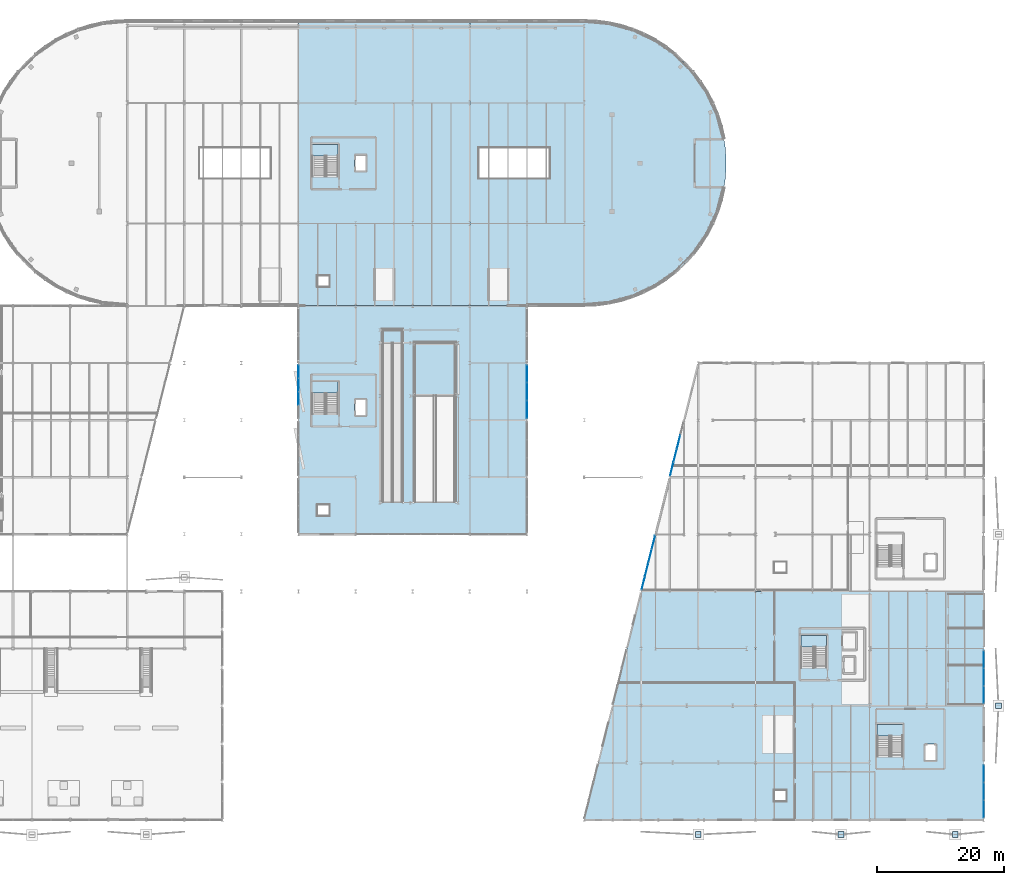
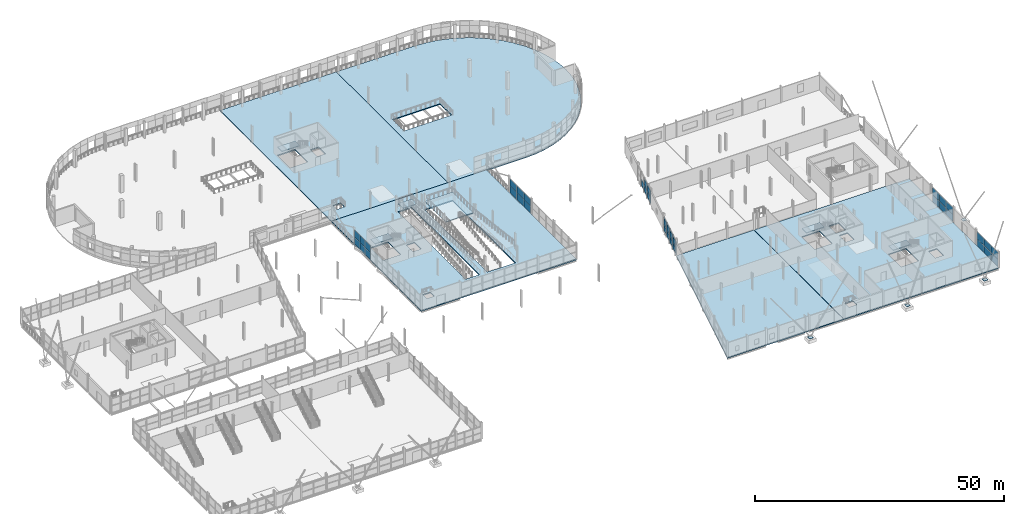
# One storey, part 106 of 140: 41 plates, 11 slabs, 11 elements without a shape of their own.
"""IFC4 building model written with IfcOpenShell, lengths in metres."""

import ifcopenshell
import ifcopenshell.guid

model = None  # the IFC model being written
_history = None  # IfcOwnerHistory: only IFC2X3 demands one
_inside = {}  # id of a spatial element -> (the spatial element, [elements in it])
_under = {}  # id of a project, library or spatial element -> (it, [spatial elements below it])
_declared = {}  # id of a project -> (the project, [libraries it declares])
_typed = {}  # id of a type object -> (the type object, [elements of that type])
_made_of = {}  # id of a material, layer set ... -> (it, [elements and type objects made of it])


def new_model(schema):
    """Start an empty IFC model of exactly this schema.

    Asked for "IFC4X3", IfcOpenShell would pick the latest addendum, in which some entities
    have other attributes; the version numbers below select the first issue.
    IFC2X3 requires an IfcOwnerHistory on every rooted entity: one is made here for all.
    """
    global model, _history
    if schema == "IFC4X3":
        model = ifcopenshell.file(schema_version=(4, 3, 0, 0))
    else:
        model = ifcopenshell.file(schema=schema)
    _inside.clear()
    _under.clear()
    _declared.clear()
    _typed.clear()
    _made_of.clear()
    _history = None
    if model.schema == "IFC2X3":
        org = make("IfcOrganization", Name="unknown")
        user = make(
            "IfcPersonAndOrganization",
            ThePerson=make("IfcPerson", FamilyName="unknown"),
            TheOrganization=org,
        )
        app = make(
            "IfcApplication",
            ApplicationDeveloper=org,
            Version="unknown",
            ApplicationFullName="unknown",
            ApplicationIdentifier="unknown",
        )
        _history = make(
            "IfcOwnerHistory",
            OwningUser=user,
            OwningApplication=app,
            ChangeAction="ADDED",
            CreationDate=0,
        )
    return model


def make(cls, **values):
    """One entity of the class cls with the attributes given. An attribute that is None is left unset."""
    return model.create_entity(
        cls, **{name: value for name, value in values.items() if value is not None}
    )


def rooted(cls, **values):
    """An entity with a GlobalId (a new one), such as an element, a storey or a relation."""
    return make(cls, GlobalId=ifcopenshell.guid.new(), OwnerHistory=_history, **values)


def si_unit(unit_type, name, prefix=None):
    """IfcSIUnit, for example si_unit("LENGTHUNIT", "METRE", prefix="MILLI")."""
    return make("IfcSIUnit", UnitType=unit_type, Prefix=prefix, Name=name)


def assignment(units):
    """IfcUnitAssignment: the units of a project."""
    return None if units is None else make("IfcUnitAssignment", Units=units)


def point(xyz):
    """IfcCartesianPoint."""
    return None if xyz is None else make("IfcCartesianPoint", Coordinates=xyz)


def direction(xyz):
    """IfcDirection."""
    return None if xyz is None else make("IfcDirection", DirectionRatios=xyz)


def frame(location, z_axis=None, x_axis=None):
    """IfcAxis2Placement3D, a coordinate frame: its origin and axes. An axis left out is left unset."""
    return make(
        "IfcAxis2Placement3D",
        Location=point(location),
        Axis=direction(z_axis),
        RefDirection=direction(x_axis),
    )


def frame_2d(location, x_axis=None):
    """IfcAxis2Placement2D, a coordinate frame in the plane: its origin and x axis."""
    return make(
        "IfcAxis2Placement2D", Location=point(location), RefDirection=direction(x_axis)
    )


def origin():
    """The frame at (0, 0, 0) with its axes left unset."""
    return frame((0.0, 0.0, 0.0))


def origin_2d():
    """The frame at (0, 0) in the plane with its x axis left unset."""
    return frame_2d((0.0, 0.0))


def place(relative_to, where):
    """IfcLocalPlacement: puts the frame where relative to a parent placement (None: the world)."""
    return make(
        "IfcLocalPlacement", PlacementRelTo=relative_to, RelativePlacement=where
    )


def context(
    kind, dimensions, precision=None, world=None, true_north=None, identifier=None
):
    """IfcGeometricRepresentationContext, for example the 3D "Model" context."""
    return make(
        "IfcGeometricRepresentationContext",
        ContextIdentifier=identifier,
        ContextType=kind,
        CoordinateSpaceDimension=dimensions,
        Precision=precision,
        WorldCoordinateSystem=world,
        TrueNorth=true_north,
    )


def subcontext(parent, identifier, kind, view, scale=None):
    """IfcGeometricRepresentationSubContext, for example "Body" below "Model"."""
    return make(
        "IfcGeometricRepresentationSubContext",
        ContextIdentifier=identifier,
        ContextType=kind,
        ParentContext=parent,
        TargetScale=scale,
        TargetView=view,
    )


def project(units=None, contexts=None):
    """IfcProject with its units and contexts."""
    return rooted(
        "IfcProject",
        Name="project",
        RepresentationContexts=contexts,
        UnitsInContext=assignment(units),
    )


def spatial(cls, under=None, at=None, **own):
    """A site, building, storey or space (cls), placed at a placement, below another one or the project."""
    s = rooted(cls, ObjectPlacement=at, **own)
    if under is not None:
        _under.setdefault(under.id(), (under, []))[1].append(s)
    return s


def polyline(points):
    """IfcPolyline through the points."""
    return make("IfcPolyline", Points=[point(p) for p in points])


def profile(cls, at=None, kind="AREA", **sizes):
    """A parametric profile (cls). Its sizes go by their IFC names, for example OverallWidth=200.0."""
    return make(cls, ProfileType=kind, Position=at, **sizes)


def rectangle(**sizes):
    """IfcRectangleProfileDef."""
    return profile("IfcRectangleProfileDef", **sizes)


def outline(outer, holes=None, kind="AREA"):
    """IfcArbitraryClosedProfileDef: a profile drawn as a closed curve; with holes, ...WithVoids."""
    if holes is None:
        return make("IfcArbitraryClosedProfileDef", ProfileType=kind, OuterCurve=outer)
    return make(
        "IfcArbitraryProfileDefWithVoids",
        ProfileType=kind,
        OuterCurve=outer,
        InnerCurves=holes,
    )


def extrude(swept, where, along, depth):
    """IfcExtrudedAreaSolid: the profile swept, set in the frame where, extruded along a direction by depth."""
    return make(
        "IfcExtrudedAreaSolid",
        SweptArea=swept,
        Position=where,
        ExtrudedDirection=direction(along),
        Depth=depth,
    )


def shape(context_of_items, identifier, shape_type, items):
    """IfcShapeRepresentation: the items that make up one representation, for example the "Body"."""
    return make(
        "IfcShapeRepresentation",
        ContextOfItems=context_of_items,
        RepresentationIdentifier=identifier,
        RepresentationType=shape_type,
        Items=items,
    )


def material(Name=None, Category=None):
    """IfcMaterial."""
    return make("IfcMaterial", Name=Name, Category=Category)


def layer(
    of_material, thickness, ventilated=None, Name=None, Category=None, Priority=None
):
    """IfcMaterialLayer: one layer of a wall or slab, of a material (None: an air gap)."""
    return make(
        "IfcMaterialLayer",
        Material=of_material,
        LayerThickness=thickness,
        IsVentilated=ventilated,
        Name=Name,
        Category=Category,
        Priority=Priority,
    )


def layer_set(layers, Name=None):
    """IfcMaterialLayerSet."""
    return make("IfcMaterialLayerSet", MaterialLayers=layers, LayerSetName=Name)


def made_of(thing, what):
    """Note that an element or type object is made of a material, layer set ...; save() writes the relation."""
    if what is not None:
        _made_of.setdefault(what.id(), (what, []))[1].append(thing)
    return thing


def type_object(cls, material=None, **own):
    """A type object (cls), such as IfcWallType, which elements share."""
    return made_of(rooted(cls, **own), material)


def element(
    cls,
    number,
    at=None,
    inside=None,
    cuts=None,
    type_object=None,
    material=None,
    context=None,
    identifier="Body",
    shape_type=None,
    held_by="IfcProductDefinitionShape",
    body=None,
    shapes=None,
    **own,
):
    """One element of the class cls, such as IfcWall. Its Tag is "e" and its number.

    at: its placement. inside: the storey or other place that contains it. cuts: it is an
    opening in that element (IfcRelVoidsElement). A single representation is given by context,
    identifier, shape_type and body (its items); several are given by shapes. held_by: the class
    of the entity that holds the representations. save() writes the other relations.
    """
    e = rooted(cls, Tag="e%d" % number, ObjectPlacement=at, **own)
    if body is not None:
        shapes = [shape(context, identifier, shape_type, body)]
    if shapes is not None:
        e.Representation = make(held_by, Representations=shapes)
    if inside is not None:
        _inside.setdefault(inside.id(), (inside, []))[1].append(e)
    if cuts is not None:
        rooted(
            "IfcRelVoidsElement", RelatingBuildingElement=cuts, RelatedOpeningElement=e
        )
    if type_object is not None:
        _typed.setdefault(type_object.id(), (type_object, []))[1].append(e)
    return made_of(e, material)


def aggregate(whole, parts):
    """IfcRelAggregates: a whole, such as a stair, and the parts it consists of."""
    return rooted("IfcRelAggregates", RelatingObject=whole, RelatedObjects=parts)


def save(model, path):
    """Write the relations noted so far, then the file.

    IfcRelAggregates (storeys below a building ...), IfcRelContainedInSpatialStructure (elements
    in a storey), IfcRelDefinesByType, IfcRelAssociatesMaterial and IfcRelDeclares: one each for
    every whole, place, type object, material and project.
    """
    for whole, parts in _under.values():
        aggregate(whole, parts)
    for where, things in _inside.values():
        rooted(
            "IfcRelContainedInSpatialStructure",
            RelatedElements=things,
            RelatingStructure=where,
        )
    for kind, things in _typed.values():
        rooted("IfcRelDefinesByType", RelatedObjects=things, RelatingType=kind)
    for what, things in _made_of.values():
        rooted("IfcRelAssociatesMaterial", RelatedObjects=things, RelatingMaterial=what)
    for by, libraries in _declared.values():
        rooted("IfcRelDeclares", RelatingContext=by, RelatedDefinitions=libraries)
    model.write(path)


model = new_model("IFC4")

# Units and contexts
model_context = context("Model", 3, precision=1e-05, world=origin(), true_north=direction((0.0, 1.0)))
body_context = subcontext(model_context, "Body", "Model", "MODEL_VIEW")
ifc_project = project(units=[si_unit("LENGTHUNIT", "METRE"), si_unit("AREAUNIT", "SQUARE_METRE"), si_unit("VOLUMEUNIT", "CUBIC_METRE"), si_unit("PLANEANGLEUNIT", "RADIAN"), si_unit("MASSUNIT", "GRAM", prefix="KILO")], contexts=[model_context])

# Site, building, storey
site_placement = place(None, origin())
site = spatial("IfcSite", under=ifc_project, at=site_placement, CompositionType="ELEMENT")
building_placement = place(site_placement, origin())
building = spatial("IfcBuilding", under=site, at=building_placement, Name="Deido Ridge Mobility Hub", CompositionType="ELEMENT")
storey_placement = place(building_placement, origin())
storey = spatial("IfcBuildingStorey", under=building, at=storey_placement, Name="L00", CompositionType="ELEMENT", Elevation=0.0)

# Curtain wall, plates
ifc_material_1 = material(Name="Anodised aluminium EN AW-6063 T6", Category="aluminium")
ifc_layer_1 = layer(ifc_material_1, 0.179931640625, Name="Anodised aluminium EN AW-6063 T6")
ifc_layer_set_1 = layer_set([ifc_layer_1], Name="Anodised aluminium EN AW-6063 T6")
curtain_wall_type_1 = type_object("IfcCurtainWallType", Name="CW-UF-2", PredefinedType="USERDEFINED", material=ifc_layer_set_1)
curtain_wall_1_placement = place(storey_placement, origin())
curtain_wall_1 = element("IfcCurtainWall", 1, at=curtain_wall_1_placement, inside=storey, type_object=curtain_wall_type_1, Name="Unitised curtain wall CW2", ObjectType="UNITISED FACADE", PredefinedType="USERDEFINED")
ifc_material_2 = material(Name="Laminated solar-control low-E glass", Category="glass")
ifc_layer_2 = layer(ifc_material_2, 0.02587890625, Name="Laminated solar-control low-E glass")
ifc_layer_set_2 = layer_set([ifc_layer_2], Name="Laminated solar-control low-E glass")
plate_type_1 = type_object("IfcPlateType", Name="PLT-CWP-26", PredefinedType="CURTAIN_PANEL", material=ifc_layer_set_2)
plate_1_placement = place(storey_placement, frame((126.32861328125, 37.314453125, 0.050048828125), z_axis=(0.0, 0.0, 1.0), x_axis=(0.242530293767, 0.970143832947, 0.0)))
plate_1 = element("IfcPlate", 2, at=plate_1_placement, type_object=plate_type_1, Name="CW2 panel 1.1", PredefinedType="CURTAIN_PANEL", context=body_context, shape_type="SweptSolid", body=[
    extrude(rectangle(XDim=2.1318359375, YDim=0.02587890625, at=origin_2d()), origin(), (0.0, 0.0, 1.0), 1.58740234375),
])
plate_2_placement = place(storey_placement, frame((126.32861328125, 37.314453125, 1.6875), z_axis=(0.0, 0.0, 1.0), x_axis=(0.242530293767, 0.970143832947, 0.0)))
plate_2 = element("IfcPlate", 3, at=plate_2_placement, type_object=plate_type_1, Name="CW2 panel 1.2", PredefinedType="CURTAIN_PANEL", context=body_context, shape_type="SweptSolid", body=[
    extrude(rectangle(XDim=2.1318359375, YDim=0.02587890625, at=origin_2d()), origin(), (0.0, 0.0, 1.0), 1.58740234375),
])
plate_3_placement = place(storey_placement, frame((126.86083984375, 39.443115234375, 0.050048828125), z_axis=(0.0, 0.0, 1.0), x_axis=(0.242530293767, 0.970143832947, 0.0)))
plate_3 = element("IfcPlate", 4, at=plate_3_placement, type_object=plate_type_1, Name="CW2 panel 2.1", PredefinedType="CURTAIN_PANEL", context=body_context, shape_type="SweptSolid", body=[
    extrude(rectangle(XDim=2.15673828125, YDim=0.02587890625, at=origin_2d()), origin(), (0.0, 0.0, 1.0), 1.58740234375),
])
plate_4_placement = place(storey_placement, frame((126.86083984375, 39.443115234375, 1.6875), z_axis=(0.0, 0.0, 1.0), x_axis=(0.242530293767, 0.970143832947, 0.0)))
plate_4 = element("IfcPlate", 5, at=plate_4_placement, type_object=plate_type_1, Name="CW2 panel 2.2", PredefinedType="CURTAIN_PANEL", context=body_context, shape_type="SweptSolid", body=[
    extrude(rectangle(XDim=2.15673828125, YDim=0.02587890625, at=origin_2d()), origin(), (0.0, 0.0, 1.0), 1.58740234375),
])
plate_5_placement = place(storey_placement, frame((127.39599609375, 41.583984375, 0.050048828125), z_axis=(0.0, 0.0, 1.0), x_axis=(0.242530293767, 0.970143832947, 0.0)))
plate_5 = element("IfcPlate", 6, at=plate_5_placement, type_object=plate_type_1, Name="CW2 panel 3.1", PredefinedType="CURTAIN_PANEL", context=body_context, shape_type="SweptSolid", body=[
    extrude(rectangle(XDim=2.15673828125, YDim=0.02587890625, at=origin_2d()), origin(), (0.0, 0.0, 1.0), 1.58740234375),
])
plate_6_placement = place(storey_placement, frame((127.39599609375, 41.583984375, 1.6875), z_axis=(0.0, 0.0, 1.0), x_axis=(0.242530293767, 0.970143832947, 0.0)))
plate_6 = element("IfcPlate", 7, at=plate_6_placement, type_object=plate_type_1, Name="CW2 panel 3.2", PredefinedType="CURTAIN_PANEL", context=body_context, shape_type="SweptSolid", body=[
    extrude(rectangle(XDim=2.15673828125, YDim=0.02587890625, at=origin_2d()), origin(), (0.0, 0.0, 1.0), 1.58740234375),
])
plate_7_placement = place(storey_placement, frame((127.92822265625, 43.712646484375, 0.050048828125), z_axis=(0.0, 0.0, 1.0), x_axis=(0.242530293767, 0.970143832947, 0.0)))
plate_7 = element("IfcPlate", 8, at=plate_7_placement, type_object=plate_type_1, Name="CW2 panel 4.1", PredefinedType="CURTAIN_PANEL", context=body_context, shape_type="SweptSolid", body=[
    extrude(rectangle(XDim=2.1318359375, YDim=0.02587890625, at=origin_2d()), origin(), (0.0, 0.0, 1.0), 1.58740234375),
])
plate_8_placement = place(storey_placement, frame((127.92822265625, 43.712646484375, 1.6875), z_axis=(0.0, 0.0, 1.0), x_axis=(0.242530293767, 0.970143832947, 0.0)))
plate_8 = element("IfcPlate", 9, at=plate_8_placement, type_object=plate_type_1, Name="CW2 panel 4.2", PredefinedType="CURTAIN_PANEL", context=body_context, shape_type="SweptSolid", body=[
    extrude(rectangle(XDim=2.1318359375, YDim=0.02587890625, at=origin_2d()), origin(), (0.0, 0.0, 1.0), 1.58740234375),
])
aggregate(curtain_wall_1, [plate_1, plate_2, plate_3, plate_4, plate_5, plate_6, plate_7, plate_8])

ifc_layer_3 = layer(ifc_material_1, 0.1650390625, Name="Anodised aluminium EN AW-6063 T6")
ifc_layer_set_3 = layer_set([ifc_layer_3], Name="Anodised aluminium EN AW-6063 T6")
curtain_wall_type_2 = type_object("IfcCurtainWallType", Name="CW-UF-1", PredefinedType="USERDEFINED", material=ifc_layer_set_3)
curtain_wall_2_placement = place(storey_placement, origin())
curtain_wall_2 = element("IfcCurtainWall", 10, at=curtain_wall_2_placement, inside=storey, type_object=curtain_wall_type_2, Name="Unitised curtain wall CW1", ObjectType="UNITISED FACADE", PredefinedType="USERDEFINED")
ifc_layer_4 = layer(ifc_material_2, 0.031005859375, Name="Laminated solar-control low-E glass")
ifc_layer_set_4 = layer_set([ifc_layer_4], Name="Laminated solar-control low-E glass")
plate_type_2 = type_object("IfcPlateType", Name="PLT-CWP-31", PredefinedType="CURTAIN_PANEL", material=ifc_layer_set_4)
plate_9_placement = place(storey_placement, frame((72.0, 66.4375, 0.06005859375), z_axis=(0.0, 0.0, 1.0), x_axis=(0.0, 1.0, 0.0)))
plate_9 = element("IfcPlate", 11, at=plate_9_placement, type_object=plate_type_2, Name="CW1 panel 2.1", PredefinedType="CURTAIN_PANEL", context=body_context, shape_type="SweptSolid", body=[
    extrude(rectangle(XDim=2.06494140625, YDim=0.031005859375, at=origin_2d()), origin(), (0.0, 0.0, 1.0), 1.7099609375),
])
plate_10_placement = place(storey_placement, frame((72.0, 66.4375, 1.830078125), z_axis=(0.0, 0.0, 1.0), x_axis=(0.0, 1.0, 0.0)))
plate_10 = element("IfcPlate", 12, at=plate_10_placement, type_object=plate_type_2, Name="CW1 panel 2.2", PredefinedType="CURTAIN_PANEL", context=body_context, shape_type="SweptSolid", body=[
    extrude(rectangle(XDim=2.06494140625, YDim=0.031005859375, at=origin_2d()), origin(), (0.0, 0.0, 1.0), 1.7099609375),
])
plate_11_placement = place(storey_placement, frame((72.0, 68.5625, 0.06005859375), z_axis=(0.0, 0.0, 1.0), x_axis=(0.0, 1.0, 0.0)))
plate_11 = element("IfcPlate", 13, at=plate_11_placement, type_object=plate_type_2, Name="CW1 panel 3.1", PredefinedType="CURTAIN_PANEL", context=body_context, shape_type="SweptSolid", body=[
    extrude(rectangle(XDim=2.06494140625, YDim=0.031005859375, at=origin_2d()), origin(), (0.0, 0.0, 1.0), 1.7099609375),
])
plate_12_placement = place(storey_placement, frame((72.0, 68.5625, 1.830078125), z_axis=(0.0, 0.0, 1.0), x_axis=(0.0, 1.0, 0.0)))
plate_12 = element("IfcPlate", 14, at=plate_12_placement, type_object=plate_type_2, Name="CW1 panel 3.2", PredefinedType="CURTAIN_PANEL", context=body_context, shape_type="SweptSolid", body=[
    extrude(rectangle(XDim=2.06494140625, YDim=0.031005859375, at=origin_2d()), origin(), (0.0, 0.0, 1.0), 1.7099609375),
])
plate_13_placement = place(storey_placement, frame((72.0, 70.672607421875, 0.06005859375), z_axis=(0.0, 0.0, 1.0), x_axis=(0.0, 1.0, 0.0)))
plate_13 = element("IfcPlate", 15, at=plate_13_placement, type_object=plate_type_2, Name="CW1 panel 4.1", PredefinedType="CURTAIN_PANEL", context=body_context, shape_type="SweptSolid", body=[
    extrude(rectangle(XDim=2.034912109375, YDim=0.031005859375, at=origin_2d()), origin(), (0.0, 0.0, 1.0), 1.7099609375),
])
plate_14_placement = place(storey_placement, frame((72.0, 70.672607421875, 1.830078125), z_axis=(0.0, 0.0, 1.0), x_axis=(0.0, 1.0, 0.0)))
plate_14 = element("IfcPlate", 16, at=plate_14_placement, type_object=plate_type_2, Name="CW1 panel 4.2", PredefinedType="CURTAIN_PANEL", context=body_context, shape_type="SweptSolid", body=[
    extrude(rectangle(XDim=2.034912109375, YDim=0.031005859375, at=origin_2d()), origin(), (0.0, 0.0, 1.0), 1.7099609375),
])
aggregate(curtain_wall_2, [plate_9, plate_10, plate_11, plate_12, plate_13, plate_14])

ifc_layer_5 = layer(ifc_material_1, 0.195068359375, Name="Anodised aluminium EN AW-6063 T6")
ifc_layer_set_5 = layer_set([ifc_layer_5], Name="Anodised aluminium EN AW-6063 T6")
curtain_wall_type_3 = type_object("IfcCurtainWallType", Name="CW-UF-3", PredefinedType="USERDEFINED", material=ifc_layer_set_5)
curtain_wall_3_placement = place(storey_placement, origin())
curtain_wall_3 = element("IfcCurtainWall", 17, at=curtain_wall_3_placement, inside=storey, type_object=curtain_wall_type_3, Name="Unitised curtain wall CW3", ObjectType="UNITISED FACADE", PredefinedType="USERDEFINED")
plate_15_placement = place(storey_placement, frame((180.0, 1.715087890625, 0.06005859375), z_axis=(0.0, 0.0, 1.0), x_axis=(0.0, 1.0, 0.0)))
plate_15 = element("IfcPlate", 18, at=plate_15_placement, type_object=plate_type_2, Name="CW3 panel 1.1", PredefinedType="CURTAIN_PANEL", context=body_context, shape_type="SweptSolid", body=[
    extrude(rectangle(XDim=2.7099609375, YDim=0.031005859375, at=origin_2d()), origin(), (0.0, 0.0, 1.0), 1.7099609375),
])
plate_16_placement = place(storey_placement, frame((180.0, 1.715087890625, 1.830078125), z_axis=(0.0, 0.0, 1.0), x_axis=(0.0, 1.0, 0.0)))
plate_16 = element("IfcPlate", 19, at=plate_16_placement, type_object=plate_type_2, Name="CW3 panel 1.2", PredefinedType="CURTAIN_PANEL", context=body_context, shape_type="SweptSolid", body=[
    extrude(rectangle(XDim=2.7099609375, YDim=0.031005859375, at=origin_2d()), origin(), (0.0, 0.0, 1.0), 1.7099609375),
])
plate_17_placement = place(storey_placement, frame((180.0, 4.5, 0.06005859375), z_axis=(0.0, 0.0, 1.0), x_axis=(0.0, 1.0, 0.0)))
plate_17 = element("IfcPlate", 20, at=plate_17_placement, type_object=plate_type_2, Name="CW3 panel 2.1", PredefinedType="CURTAIN_PANEL", context=body_context, shape_type="SweptSolid", body=[
    extrude(rectangle(XDim=2.739990234375, YDim=0.031005859375, at=origin_2d()), origin(), (0.0, 0.0, 1.0), 1.7099609375),
])
plate_18_placement = place(storey_placement, frame((180.0, 4.5, 1.830078125), z_axis=(0.0, 0.0, 1.0), x_axis=(0.0, 1.0, 0.0)))
plate_18 = element("IfcPlate", 21, at=plate_18_placement, type_object=plate_type_2, Name="CW3 panel 2.2", PredefinedType="CURTAIN_PANEL", context=body_context, shape_type="SweptSolid", body=[
    extrude(rectangle(XDim=2.739990234375, YDim=0.031005859375, at=origin_2d()), origin(), (0.0, 0.0, 1.0), 1.7099609375),
])
plate_19_placement = place(storey_placement, frame((180.0, 7.284912109375, 0.06005859375), z_axis=(0.0, 0.0, 1.0), x_axis=(0.0, 1.0, 0.0)))
plate_19 = element("IfcPlate", 22, at=plate_19_placement, type_object=plate_type_2, Name="CW3 panel 3.1", PredefinedType="CURTAIN_PANEL", context=body_context, shape_type="SweptSolid", body=[
    extrude(rectangle(XDim=2.7099609375, YDim=0.031005859375, at=origin_2d()), origin(), (0.0, 0.0, 1.0), 1.7099609375),
])
plate_20_placement = place(storey_placement, frame((180.0, 7.284912109375, 1.830078125), z_axis=(0.0, 0.0, 1.0), x_axis=(0.0, 1.0, 0.0)))
plate_20 = element("IfcPlate", 23, at=plate_20_placement, type_object=plate_type_2, Name="CW3 panel 3.2", PredefinedType="CURTAIN_PANEL", context=body_context, shape_type="SweptSolid", body=[
    extrude(rectangle(XDim=2.7099609375, YDim=0.031005859375, at=origin_2d()), origin(), (0.0, 0.0, 1.0), 1.7099609375),
])
aggregate(curtain_wall_3, [plate_15, plate_16, plate_17, plate_18, plate_19, plate_20])

ifc_layer_6 = layer(ifc_material_1, 0.2099609375, Name="Anodised aluminium EN AW-6063 T6")
ifc_layer_set_6 = layer_set([ifc_layer_6], Name="Anodised aluminium EN AW-6063 T6")
curtain_wall_type_4 = type_object("IfcCurtainWallType", Name="CW-UF-4", PredefinedType="USERDEFINED", material=ifc_layer_set_6)
curtain_wall_4_placement = place(storey_placement, origin())
curtain_wall_4 = element("IfcCurtainWall", 24, at=curtain_wall_4_placement, inside=storey, type_object=curtain_wall_type_4, Name="Unitised curtain wall CW4", ObjectType="UNITISED FACADE", PredefinedType="USERDEFINED")
plate_21_placement = place(storey_placement, frame((130.8232421875, 55.29296875, 0.06005859375), z_axis=(0.0, 0.0, 1.0), x_axis=(0.242530310632, 0.970143828731, 0.0)))
plate_21 = element("IfcPlate", 25, at=plate_21_placement, type_object=plate_type_2, Name="CW4 panel 1.1", PredefinedType="CURTAIN_PANEL", context=body_context, shape_type="SweptSolid", body=[
    extrude(rectangle(XDim=2.123779296875, YDim=0.031005859375, at=origin_2d()), origin(), (0.0, 0.0, 1.0), 1.572509765625),
])
plate_22_placement = place(storey_placement, frame((130.8232421875, 55.29296875, 1.6923828125), z_axis=(0.0, 0.0, 1.0), x_axis=(0.242530310632, 0.970143828731, 0.0)))
plate_22 = element("IfcPlate", 26, at=plate_22_placement, type_object=plate_type_2, Name="CW4 panel 1.2", PredefinedType="CURTAIN_PANEL", context=body_context, shape_type="SweptSolid", body=[
    extrude(rectangle(XDim=2.123779296875, YDim=0.031005859375, at=origin_2d()), origin(), (0.0, 0.0, 1.0), 1.572509765625),
])
plate_23_placement = place(storey_placement, frame((131.3564453125, 57.42626953125, 0.06005859375), z_axis=(0.0, 0.0, 1.0), x_axis=(0.242530310632, 0.970143828731, 0.0)))
plate_23 = element("IfcPlate", 27, at=plate_23_placement, type_object=plate_type_2, Name="CW4 panel 2.1", PredefinedType="CURTAIN_PANEL", context=body_context, shape_type="SweptSolid", body=[
    extrude(rectangle(XDim=2.15380859375, YDim=0.031005859375, at=origin_2d()), origin(), (0.0, 0.0, 1.0), 1.572509765625),
])
plate_24_placement = place(storey_placement, frame((131.3564453125, 57.42626953125, 1.6923828125), z_axis=(0.0, 0.0, 1.0), x_axis=(0.242530310632, 0.970143828731, 0.0)))
plate_24 = element("IfcPlate", 28, at=plate_24_placement, type_object=plate_type_2, Name="CW4 panel 2.2", PredefinedType="CURTAIN_PANEL", context=body_context, shape_type="SweptSolid", body=[
    extrude(rectangle(XDim=2.15380859375, YDim=0.031005859375, at=origin_2d()), origin(), (0.0, 0.0, 1.0), 1.572509765625),
])
plate_25_placement = place(storey_placement, frame((131.8935546875, 59.57373046875, 0.06005859375), z_axis=(0.0, 0.0, 1.0), x_axis=(0.242530310632, 0.970143828731, 0.0)))
plate_25 = element("IfcPlate", 29, at=plate_25_placement, type_object=plate_type_2, Name="CW4 panel 3.1", PredefinedType="CURTAIN_PANEL", context=body_context, shape_type="SweptSolid", body=[
    extrude(rectangle(XDim=2.15380859375, YDim=0.031005859375, at=origin_2d()), origin(), (0.0, 0.0, 1.0), 1.572509765625),
])
aggregate(curtain_wall_4, [plate_21, plate_22, plate_23, plate_24, plate_25])

ifc_layer_7 = layer(ifc_material_1, 0.22509765625, Name="Anodised aluminium EN AW-6063 T6")
ifc_layer_set_7 = layer_set([ifc_layer_7], Name="Anodised aluminium EN AW-6063 T6")
curtain_wall_type_5 = type_object("IfcCurtainWallType", Name="CW-UF-5", PredefinedType="USERDEFINED", material=ifc_layer_set_7)
curtain_wall_5_placement = place(storey_placement, origin())
curtain_wall_5 = element("IfcCurtainWall", 30, at=curtain_wall_5_placement, inside=storey, type_object=curtain_wall_type_5, Name="Unitised curtain wall CW5", ObjectType="UNITISED FACADE", PredefinedType="USERDEFINED")
ifc_layer_8 = layer(ifc_material_2, 0.034912109375, Name="Laminated solar-control low-E glass")
ifc_layer_set_8 = layer_set([ifc_layer_8], Name="Laminated solar-control low-E glass")
plate_type_3 = type_object("IfcPlateType", Name="PLT-CWP-35", PredefinedType="CURTAIN_PANEL", material=ifc_layer_set_8)
plate_26_placement = place(storey_placement, frame((180.0, 19.717529296875, 0.06982421875), z_axis=(0.0, 0.0, 1.0), x_axis=(0.0, 1.0, 0.0)))
plate_26 = element("IfcPlate", 31, at=plate_26_placement, type_object=plate_type_3, Name="CW5 panel 1.1", PredefinedType="CURTAIN_PANEL", context=body_context, shape_type="SweptSolid", body=[
    extrude(rectangle(XDim=2.695068359375, YDim=0.034912109375, at=origin_2d()), origin(), (0.0, 0.0, 1.0), 1.695068359375),
])
plate_27_placement = place(storey_placement, frame((180.0, 19.717529296875, 1.8349609375), z_axis=(0.0, 0.0, 1.0), x_axis=(0.0, 1.0, 0.0)))
plate_27 = element("IfcPlate", 32, at=plate_27_placement, type_object=plate_type_3, Name="CW5 panel 1.2", PredefinedType="CURTAIN_PANEL", context=body_context, shape_type="SweptSolid", body=[
    extrude(rectangle(XDim=2.695068359375, YDim=0.034912109375, at=origin_2d()), origin(), (0.0, 0.0, 1.0), 1.695068359375),
])
plate_28_placement = place(storey_placement, frame((180.0, 22.5, 0.06982421875), z_axis=(0.0, 0.0, 1.0), x_axis=(0.0, 1.0, 0.0)))
plate_28 = element("IfcPlate", 33, at=plate_28_placement, type_object=plate_type_3, Name="CW5 panel 2.1", PredefinedType="CURTAIN_PANEL", context=body_context, shape_type="SweptSolid", body=[
    extrude(rectangle(XDim=2.72998046875, YDim=0.034912109375, at=origin_2d()), origin(), (0.0, 0.0, 1.0), 1.695068359375),
])
plate_29_placement = place(storey_placement, frame((180.0, 22.5, 1.8349609375), z_axis=(0.0, 0.0, 1.0), x_axis=(0.0, 1.0, 0.0)))
plate_29 = element("IfcPlate", 34, at=plate_29_placement, type_object=plate_type_3, Name="CW5 panel 2.2", PredefinedType="CURTAIN_PANEL", context=body_context, shape_type="SweptSolid", body=[
    extrude(rectangle(XDim=2.72998046875, YDim=0.034912109375, at=origin_2d()), origin(), (0.0, 0.0, 1.0), 1.695068359375),
])
plate_30_placement = place(storey_placement, frame((180.0, 25.282470703125, 0.06982421875), z_axis=(0.0, 0.0, 1.0), x_axis=(0.0, 1.0, 0.0)))
plate_30 = element("IfcPlate", 35, at=plate_30_placement, type_object=plate_type_3, Name="CW5 panel 3.1", PredefinedType="CURTAIN_PANEL", context=body_context, shape_type="SweptSolid", body=[
    extrude(rectangle(XDim=2.695068359375, YDim=0.034912109375, at=origin_2d()), origin(), (0.0, 0.0, 1.0), 1.695068359375),
])
plate_31_placement = place(storey_placement, frame((180.0, 25.282470703125, 1.8349609375), z_axis=(0.0, 0.0, 1.0), x_axis=(0.0, 1.0, 0.0)))
plate_31 = element("IfcPlate", 36, at=plate_31_placement, type_object=plate_type_3, Name="CW5 panel 3.2", PredefinedType="CURTAIN_PANEL", context=body_context, shape_type="SweptSolid", body=[
    extrude(rectangle(XDim=2.695068359375, YDim=0.034912109375, at=origin_2d()), origin(), (0.0, 0.0, 1.0), 1.695068359375),
])
aggregate(curtain_wall_5, [plate_26, plate_27, plate_28, plate_29, plate_30, plate_31])

curtain_wall_6_placement = place(storey_placement, origin())
curtain_wall_6 = element("IfcCurtainWall", 37, at=curtain_wall_6_placement, inside=storey, type_object=curtain_wall_type_4, Name="Unitised curtain wall CW4", ObjectType="UNITISED FACADE", PredefinedType="USERDEFINED")
ifc_layer_9 = layer(ifc_material_2, 0.037109375, Name="Laminated solar-control low-E glass")
ifc_layer_set_9 = layer_set([ifc_layer_9], Name="Laminated solar-control low-E glass")
plate_type_4 = type_object("IfcPlateType", Name="PLT-CWP-37", PredefinedType="CURTAIN_PANEL", material=ifc_layer_set_9)
plate_32_placement = place(storey_placement, frame((108.0, 64.685302734375, 0.074951171875), z_axis=(0.0, 0.0, 1.0), x_axis=(0.0, 1.0, 0.0)))
plate_32 = element("IfcPlate", 38, at=plate_32_placement, type_object=plate_type_4, Name="CW4 panel 1.1", PredefinedType="CURTAIN_PANEL", context=body_context, shape_type="SweptSolid", body=[
    extrude(rectangle(XDim=2.720947265625, YDim=0.037109375, at=origin_2d()), origin(), (0.0, 0.0, 1.0), 1.6875),
])
plate_33_placement = place(storey_placement, frame((108.0, 64.685302734375, 1.83740234375), z_axis=(0.0, 0.0, 1.0), x_axis=(0.0, 1.0, 0.0)))
plate_33 = element("IfcPlate", 39, at=plate_33_placement, type_object=plate_type_4, Name="CW4 panel 1.2", PredefinedType="CURTAIN_PANEL", context=body_context, shape_type="SweptSolid", body=[
    extrude(rectangle(XDim=2.720947265625, YDim=0.037109375, at=origin_2d()), origin(), (0.0, 0.0, 1.0), 1.6875),
])
plate_34_placement = place(storey_placement, frame((108.0, 67.5, 0.074951171875), z_axis=(0.0, 0.0, 1.0), x_axis=(0.0, 1.0, 0.0)))
plate_34 = element("IfcPlate", 40, at=plate_34_placement, type_object=plate_type_4, Name="CW4 panel 2.1", PredefinedType="CURTAIN_PANEL", context=body_context, shape_type="SweptSolid", body=[
    extrude(rectangle(XDim=2.75830078125, YDim=0.037109375, at=origin_2d()), origin(), (0.0, 0.0, 1.0), 1.6875),
])
plate_35_placement = place(storey_placement, frame((108.0, 67.5, 1.83740234375), z_axis=(0.0, 0.0, 1.0), x_axis=(0.0, 1.0, 0.0)))
plate_35 = element("IfcPlate", 41, at=plate_35_placement, type_object=plate_type_4, Name="CW4 panel 2.2", PredefinedType="CURTAIN_PANEL", context=body_context, shape_type="SweptSolid", body=[
    extrude(rectangle(XDim=2.75830078125, YDim=0.037109375, at=origin_2d()), origin(), (0.0, 0.0, 1.0), 1.6875),
])
plate_36_placement = place(storey_placement, frame((108.0, 70.314697265625, 0.074951171875), z_axis=(0.0, 0.0, 1.0), x_axis=(0.0, 1.0, 0.0)))
plate_36 = element("IfcPlate", 42, at=plate_36_placement, type_object=plate_type_4, Name="CW4 panel 3.1", PredefinedType="CURTAIN_PANEL", context=body_context, shape_type="SweptSolid", body=[
    extrude(rectangle(XDim=2.720947265625, YDim=0.037109375, at=origin_2d()), origin(), (0.0, 0.0, 1.0), 1.6875),
])
plate_37_placement = place(storey_placement, frame((108.0, 70.314697265625, 1.83740234375), z_axis=(0.0, 0.0, 1.0), x_axis=(0.0, 1.0, 0.0)))
plate_37 = element("IfcPlate", 43, at=plate_37_placement, type_object=plate_type_4, Name="CW4 panel 3.2", PredefinedType="CURTAIN_PANEL", context=body_context, shape_type="SweptSolid", body=[
    extrude(rectangle(XDim=2.720947265625, YDim=0.037109375, at=origin_2d()), origin(), (0.0, 0.0, 1.0), 1.6875),
])
aggregate(curtain_wall_6, [plate_32, plate_33, plate_34, plate_35, plate_36, plate_37])

# Plates
ifc_material_3 = material(Name="Steel S355J2 EN 10025-2", Category="steel")
ifc_layer_10 = layer(ifc_material_3, 0.0400390625, Name="Steel S355J2 EN 10025-2")
ifc_layer_set_10 = layer_set([ifc_layer_10], Name="Steel S355J2 EN 10025-2")
plate_type_5 = type_object("IfcPlateType", Name="PLT-SHT-40", PredefinedType="SHEET", material=ifc_layer_set_10)
for number, where, z_axis, x_axis, name in (
    (44, (135.0, -2.300048828125, 0.0), (0.0, 0.0, 1.0), (1.0, 0.0, 0.0), "Exoskeleton V-strut base plate BP2 126"),
    (45, (157.5, -2.300048828125, 0.0), (0.0, 0.0, 1.0), (1.0, 0.0, 0.0), "Exoskeleton V-strut base plate BP2 130"),
    (46, (175.5, -2.300048828125, 0.0), (0.0, 0.0, 1.0), (1.0, 0.0, 0.0), "Exoskeleton V-strut base plate BP2 134"),
    (47, (182.300048828125, 18.0, 0.0), (0.0, 0.0, 1.0), (1.0, 0.0, 0.0), "Exoskeleton V-strut base plate BP2 138"),
):
    element("IfcPlate", number, at=place(storey_placement, frame(where, z_axis=z_axis, x_axis=x_axis)), inside=storey, type_object=plate_type_5, Name=name, PredefinedType="SHEET", context=body_context, shape_type="SweptSolid", body=[
        extrude(rectangle(XDim=0.89990234375, YDim=0.89990234375, at=origin_2d()), origin(), (0.0, 0.0, 1.0), 0.0400390625),
    ])

# Slabs
ifc_material_4 = material(Name="Concrete C35/45", Category="concrete")
ifc_layer_11 = layer(ifc_material_4, 0.260009765625, Name="Concrete C35/45")
ifc_layer_set_11 = layer_set([ifc_layer_11], Name="Concrete C35/45")
slab_type_1 = type_object("IfcSlabType", Name="SLB-FLR-260", PredefinedType="FLOOR", material=ifc_layer_set_11)
slab_1_placement = place(storey_placement, frame((0.0, 0.0, -0.260009765625)))
element("IfcSlab", 48, at=slab_1_placement, inside=storey, type_object=slab_type_1, Name="L00 V2 structural deck 15", PredefinedType="FLOOR", context=body_context, shape_type="SweptSolid", body=[
    extrude(outline(polyline([(108.0, 81.10009765625), (108.0, 45.0), (72.02490234375, 45.0), (72.02490234375, 81.10009765625), (108.0, 81.10009765625)]), holes=[polyline([(75.02490234375, 49.60009765625), (76.824951171875, 49.60009765625), (76.824951171875, 48.0), (75.02490234375, 48.0), (75.02490234375, 49.60009765625)]), polyline([(74.139892578125, 69.10009765625), (78.239990234375, 69.10009765625), (78.239990234375, 64.0), (74.139892578125, 64.0), (74.139892578125, 69.10009765625)]), polyline([(90.25, 75.25), (96.75, 75.25), (96.75, 50.0), (90.25, 50.0), (90.25, 75.25)]), polyline([(85.199951171875, 50.0), (85.199951171875, 77.25), (88.39990234375, 77.25), (88.39990234375, 50.0), (85.199951171875, 50.0)]), polyline([(80.85009765625, 66.35009765625), (82.75, 66.35009765625), (82.75, 63.64990234375), (80.85009765625, 63.64990234375), (80.85009765625, 66.35009765625)])]), origin(), (0.0, 0.0, 1.0), 0.260009765625),
])
slab_2_placement = place(storey_placement, frame((0.0, 0.0, -0.260009765625)))
element("IfcSlab", 49, at=slab_2_placement, inside=storey, type_object=slab_type_1, Name="L00 V4 structural deck 17", PredefinedType="FLOOR", context=body_context, shape_type="SweptSolid", body=[
    extrude(outline(polyline([(99.0, 81.10009765625), (72.02490234375, 81.10009765625), (72.02490234375, 125.89990234375), (99.0, 125.89990234375), (99.0, 81.10009765625)]), holes=[polyline([(75.02490234375, 85.699951171875), (76.824951171875, 85.699951171875), (76.824951171875, 84.10009765625), (75.02490234375, 84.10009765625), (75.02490234375, 85.699951171875)]), polyline([(74.139892578125, 101.39990234375), (74.139892578125, 106.5), (78.239990234375, 106.5), (78.239990234375, 101.39990234375), (74.139892578125, 101.39990234375)]), polyline([(80.85009765625, 104.85009765625), (82.75, 104.85009765625), (82.75, 102.14990234375), (80.85009765625, 102.14990234375), (80.85009765625, 104.85009765625)])]), origin(), (0.0, 0.0, 1.0), 0.260009765625),
])
slab_3_placement = place(storey_placement, frame((0.0, 0.0, -0.260009765625)))
element("IfcSlab", 50, at=slab_3_placement, inside=storey, type_object=slab_type_1, Name="L00 V4 structural deck 18", PredefinedType="FLOOR", context=body_context, shape_type="SweptSolid", body=[
    extrude(outline(polyline([(119.34130859375, 125.77734375), (121.6572265625, 125.410400390625), (123.922119140625, 124.8037109375), (126.11083984375, 123.96337890625), (128.199951171875, 122.89892578125), (130.16650390625, 121.6220703125), (131.988525390625, 120.146484375), (133.646484375, 118.488525390625), (135.1220703125, 116.66650390625), (136.39892578125, 114.699951171875), (137.46337890625, 112.61083984375), (138.3037109375, 110.422119140625), (138.910400390625, 108.1572265625), (139.27734375, 105.84130859375), (139.39990234375, 103.5), (139.27734375, 101.15869140625), (138.910400390625, 98.8427734375), (138.3037109375, 96.577880859375), (137.46337890625, 94.38916015625), (136.39892578125, 92.300048828125), (135.1220703125, 90.33349609375), (133.646484375, 88.511474609375), (131.988525390625, 86.853515625), (130.16650390625, 85.3779296875), (128.199951171875, 84.10107421875), (126.11083984375, 83.03662109375), (123.922119140625, 82.1962890625), (121.6572265625, 81.589599609375), (119.34130859375, 81.22265625), (117.0, 81.10009765625), (99.0, 81.10009765625), (99.0, 125.89990234375), (117.0, 125.89990234375), (119.34130859375, 125.77734375)]), holes=[polyline([(100.5, 105.800048828125), (111.5, 105.800048828125), (111.5, 101.199951171875), (100.5, 101.199951171875), (100.5, 105.800048828125)])]), origin(), (0.0, 0.0, 1.0), 0.260009765625),
])
slab_4_placement = place(storey_placement, frame((0.0, 0.0, -0.260009765625)))
element("IfcSlab", 51, at=slab_4_placement, inside=storey, type_object=slab_type_1, Name="L00 V6 structural deck 19", PredefinedType="FLOOR", context=body_context, shape_type="SweptSolid", body=[
    extrude(outline(polyline([(126.0, 36.0), (143.97509765625, 36.0), (143.97509765625, 0.0), (117.0, 0.0), (126.0, 36.0)])), origin(), (0.0, 0.0, 1.0), 0.260009765625),
])
slab_5_placement = place(storey_placement, frame((0.0, 0.0, -0.260009765625)))
element("IfcSlab", 52, at=slab_5_placement, inside=storey, type_object=slab_type_1, Name="L00 V6 structural deck 20", PredefinedType="FLOOR", context=body_context, shape_type="SweptSolid", body=[
    extrude(outline(polyline([(180.0, 36.0), (180.0, 0.0), (144.02490234375, 0.0), (144.02490234375, 36.0), (180.0, 36.0)]), holes=[polyline([(147.02490234375, 4.60009765625), (148.824951171875, 4.60009765625), (148.824951171875, 3.0), (147.02490234375, 3.0), (147.02490234375, 4.60009765625)]), polyline([(170.64990234375, 11.949951171875), (172.550048828125, 11.949951171875), (172.550048828125, 9.25), (170.64990234375, 9.25), (170.64990234375, 11.949951171875)]), polyline([(163.139892578125, 10.0), (163.139892578125, 15.10009765625), (167.239990234375, 15.10009765625), (167.239990234375, 10.0), (163.139892578125, 10.0)]), polyline([(157.85009765625, 25.75), (159.75, 25.75), (159.75, 23.050048828125), (157.85009765625, 23.050048828125), (157.85009765625, 25.75)]), polyline([(151.139892578125, 29.10009765625), (155.239990234375, 29.10009765625), (155.239990234375, 24.0), (151.139892578125, 24.0), (151.139892578125, 29.10009765625)]), polyline([(157.64990234375, 26.75), (157.64990234375, 29.64990234375), (159.949951171875, 29.64990234375), (159.949951171875, 26.75), (157.64990234375, 26.75)])]), origin(), (0.0, 0.0, 1.0), 0.260009765625),
])

# Ramp, slab
ramp_type = type_object("IfcRampType", Name="RAMP-CYC-STRAIGHT", PredefinedType="STRAIGHT_RUN_RAMP", material=ifc_material_4)
ramp_placement = place(storey_placement, origin())
ramp = element("IfcRamp", 53, at=ramp_placement, inside=storey, type_object=ramp_type, Name="Cycle and accessible ramp CR1 L00", PredefinedType="STRAIGHT_RUN_RAMP")
ifc_layer_12 = layer(ifc_material_4, 0.215087890625, Name="Concrete C35/45")
ifc_layer_set_12 = layer_set([ifc_layer_12], Name="Concrete C35/45")
slab_type_2 = type_object("IfcSlabType", Name="SLB-LND-215", PredefinedType="LANDING", material=ifc_layer_set_12)
slab_6_placement = place(storey_placement, frame((0.0, 0.0, 1.885009765625)))
slab_6 = element("IfcSlab", 54, at=slab_6_placement, type_object=slab_type_2, Name="Cycle ramp landing L00", PredefinedType="LANDING", context=body_context, shape_type="SweptSolid", body=[
    extrude(outline(polyline([(85.25, 75.199951171875), (88.35009765625, 75.199951171875), (88.35009765625, 77.199951171875), (85.25, 77.199951171875), (85.25, 75.199951171875)])), origin(), (0.0, 0.0, 1.0), 0.215087890625),
])
aggregate(ramp, [slab_6])

# Slab
ifc_layer_13 = layer(ifc_material_4, 0.22509765625, Name="Concrete C35/45")
ifc_layer_set_13 = layer_set([ifc_layer_13], Name="Concrete C35/45")
slab_type_3 = type_object("IfcSlabType", Name="SLB-LND-225", PredefinedType="LANDING", material=ifc_layer_set_13)
slab_7_placement = place(storey_placement, frame((0.0, 0.0, 1.875)))
element("IfcSlab", 55, at=slab_7_placement, inside=storey, type_object=slab_type_3, Name="Vehicle ramp structural half-landing L00", PredefinedType="LANDING", context=body_context, shape_type="SweptSolid", body=[
    extrude(outline(polyline([(90.300048828125, 66.800048828125), (96.699951171875, 66.800048828125), (96.699951171875, 75.199951171875), (90.300048828125, 75.199951171875), (90.300048828125, 66.800048828125)])), origin(), (0.0, 0.0, 1.0), 0.22509765625),
])

# Stair, slab
stair_type_1 = type_object("IfcStairType", Name="ST-CORE-DBL-1520", PredefinedType="DOUBLE_RETURN_STAIR", material=ifc_material_4)
stair_1_placement = place(storey_placement, origin())
stair_1 = element("IfcStair", 56, at=stair_1_placement, inside=storey, type_object=stair_type_1, Name="Protected exit stair ST4 (L00)", PredefinedType="DOUBLE_RETURN_STAIR")
ifc_layer_14 = layer(ifc_material_4, 0.18994140625, Name="Concrete C35/45")
ifc_layer_set_14 = layer_set([ifc_layer_14], Name="Concrete C35/45")
slab_type_4 = type_object("IfcSlabType", Name="SLB-STLND-190", PredefinedType="LANDING", material=ifc_layer_set_14)
slab_8_placement = place(storey_placement, frame((0.0, 0.0, 1.909912109375)))
slab_8 = element("IfcSlab", 57, at=slab_8_placement, type_object=slab_type_4, Name="ST4 landing 1", PredefinedType="LANDING", context=body_context, shape_type="SweptSolid", body=[
    extrude(outline(polyline([(74.14990234375, 67.25), (78.235107421875, 67.25), (78.235107421875, 69.074951171875), (74.14990234375, 69.074951171875), (74.14990234375, 67.25)])), origin(), (0.0, 0.0, 1.0), 0.190185546875),
])
aggregate(stair_1, [slab_8])

stair_2_placement = place(storey_placement, origin())
stair_2 = element("IfcStair", 58, at=stair_2_placement, inside=storey, type_object=stair_type_1, Name="Protected exit stair ST5 (L00)", PredefinedType="DOUBLE_RETURN_STAIR")
slab_9_placement = place(storey_placement, frame((0.0, 0.0, 1.909912109375)))
slab_9 = element("IfcSlab", 59, at=slab_9_placement, type_object=slab_type_4, Name="ST5 landing 1", PredefinedType="LANDING", context=body_context, shape_type="SweptSolid", body=[
    extrude(outline(polyline([(74.14990234375, 104.64990234375), (78.235107421875, 104.64990234375), (78.235107421875, 106.47509765625), (74.14990234375, 106.47509765625), (74.14990234375, 104.64990234375)])), origin(), (0.0, 0.0, 1.0), 0.190185546875),
])
aggregate(stair_2, [slab_9])

stair_type_2 = type_object("IfcStairType", Name="ST-CORE-HALF-1520", PredefinedType="HALF_TURN_STAIR", material=ifc_material_4)
stair_3_placement = place(storey_placement, origin())
stair_3 = element("IfcStair", 60, at=stair_3_placement, inside=storey, type_object=stair_type_2, Name="Protected exit stair ST1 (L00)", PredefinedType="HALF_TURN_STAIR")
ifc_layer_15 = layer(ifc_material_4, 0.199951171875, Name="Concrete C35/45")
ifc_layer_set_15 = layer_set([ifc_layer_15], Name="Concrete C35/45")
slab_type_5 = type_object("IfcSlabType", Name="SLB-STLND-200", PredefinedType="LANDING", material=ifc_layer_set_15)
slab_10_placement = place(storey_placement, frame((0.0, 0.0, 1.89990234375)))
slab_10 = element("IfcSlab", 61, at=slab_10_placement, type_object=slab_type_5, Name="ST1 landing 1", PredefinedType="LANDING", context=body_context, shape_type="SweptSolid", body=[
    extrude(outline(polyline([(163.16259765625, 13.25), (167.235107421875, 13.25), (167.235107421875, 15.074951171875), (163.16259765625, 15.074951171875), (163.16259765625, 13.25)])), origin(), (0.0, 0.0, 1.0), 0.2001953125),
])
aggregate(stair_3, [slab_10])

stair_4_placement = place(storey_placement, origin())
stair_4 = element("IfcStair", 62, at=stair_4_placement, inside=storey, type_object=stair_type_2, Name="Protected exit stair ST3 (L00)", PredefinedType="HALF_TURN_STAIR")
slab_11_placement = place(storey_placement, frame((0.0, 0.0, 1.89990234375)))
slab_11 = element("IfcSlab", 63, at=slab_11_placement, type_object=slab_type_5, Name="ST3 landing 1", PredefinedType="LANDING", context=body_context, shape_type="SweptSolid", body=[
    extrude(outline(polyline([(151.14990234375, 27.25), (155.235107421875, 27.25), (155.235107421875, 29.074951171875), (151.14990234375, 29.074951171875), (151.14990234375, 27.25)])), origin(), (0.0, 0.0, 1.0), 0.2001953125),
])
aggregate(stair_4, [slab_11])

save(model, "model.ifc")
